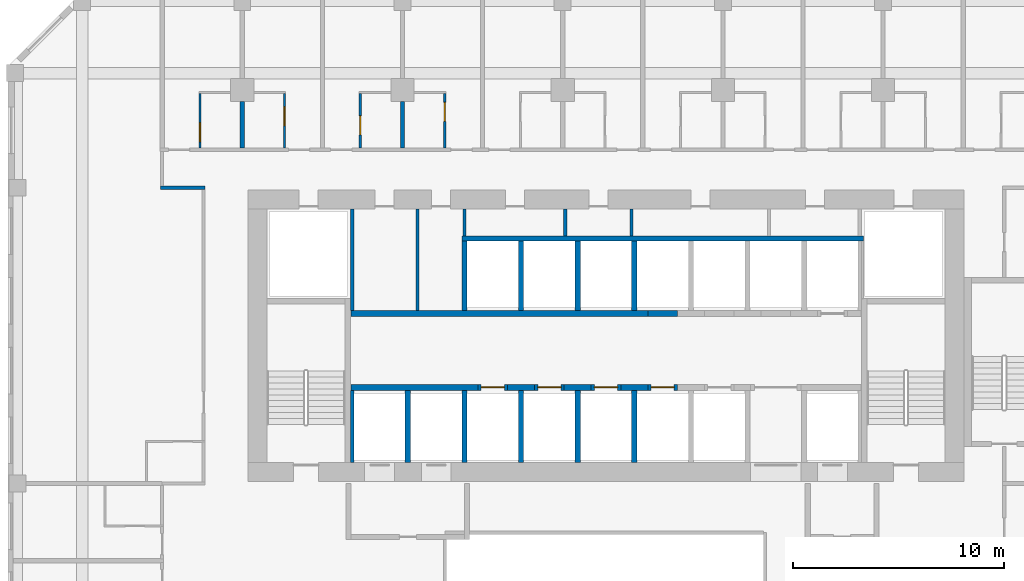
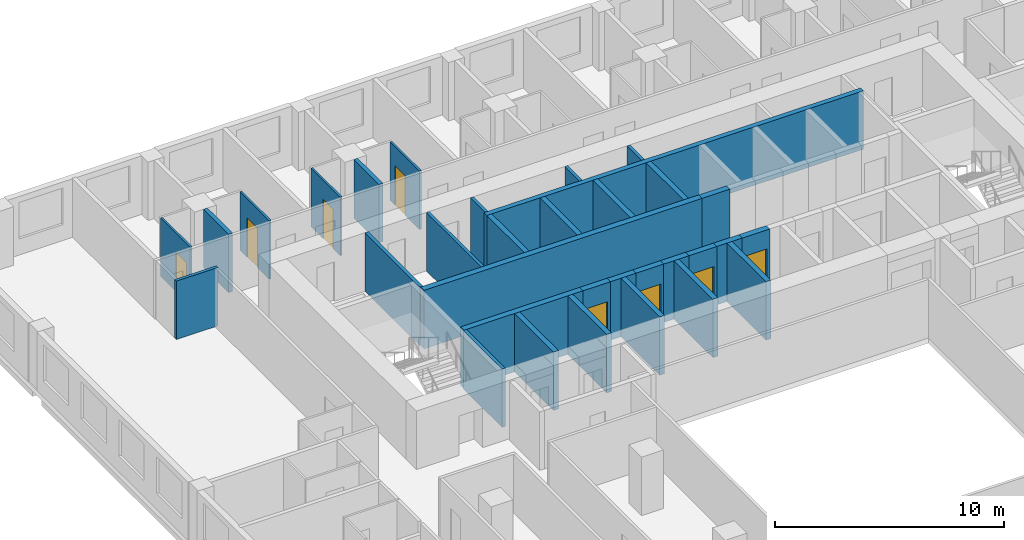
# One storey, part 7 of 22: 33 walls, 8 doors, 8 openings.
"""IFC4 building model written with IfcOpenShell, lengths in metres."""

from ifc_helpers import new_model, si_unit, direction, frame, frame_2d, origin, place, context, subcontext, project, spatial, rectangle, extrude, source, transform, mapped, material, layer, layer_set, type_object, element, fill, save


model = new_model("IFC4")

# Units and contexts
model_context = context("Model", 3, precision=1e-05, world=origin(), true_north=direction((0.0, 1.0)))
body_context = subcontext(model_context, "Body", "Model", "MODEL_VIEW")
ifc_project = project(units=[si_unit("LENGTHUNIT", "METRE"), si_unit("AREAUNIT", "SQUARE_METRE"), si_unit("VOLUMEUNIT", "CUBIC_METRE"), si_unit("PLANEANGLEUNIT", "RADIAN"), si_unit("MASSUNIT", "GRAM", prefix="KILO")], contexts=[model_context])

# Site, building, storey
site_placement = place(None, origin())
site = spatial("IfcSite", under=ifc_project, at=site_placement, CompositionType="ELEMENT")
building_placement = place(site_placement, origin())
building = spatial("IfcBuilding", under=site, at=building_placement, Name="Kilnfold Tower and Market Hall", CompositionType="ELEMENT")
storey_placement = place(building_placement, frame((0.0, 0.0, 143.89990234375)))
storey = spatial("IfcBuildingStorey", under=building, at=storey_placement, Name="L32", CompositionType="ELEMENT", Elevation=143.89990234375)

# Wall
ifc_material_1 = material(Name="Gypsum board on steel studs", Category="steel")
ifc_layer_1 = layer(ifc_material_1, 0.14990234375)
ifc_layer_set_1 = layer_set([ifc_layer_1], Name="Gypsum board on steel studs")
wall_type_1 = type_object("IfcWallType", Name="WALL CORRIDOR 150", PredefinedType="PARTITIONING", material=ifc_layer_set_1)
wall_1_placement = place(storey_placement, frame((-20.033935546875, 22.0, 0.0), z_axis=(0.0, 0.0, 1.0), x_axis=(1.0, 0.0, 0.0)))
element("IfcWall", 1, at=wall_1_placement, inside=storey, type_object=wall_type_1, Name="Partition LY21.21", PredefinedType="PARTITIONING", context=body_context, shape_type="SweptSolid", body=[
    extrude(rectangle(XDim=2.10888671875, YDim=0.14990234375, at=frame_2d((1.054443359375, 0.0))), origin(), (0.0, 0.0, 1.0), 3.1201171875),
])

# Wall, opening, door
ifc_material_2 = material(Name="Gypsum board on steel studs", Category="steel")
ifc_layer_2 = layer(ifc_material_2, 0.10009765625)
ifc_layer_set_2 = layer_set([ifc_layer_2], Name="Gypsum board on steel studs")
wall_type_2 = type_object("IfcWallType", Name="WALL PARTITION 100", PredefinedType="PARTITIONING", material=ifc_layer_set_2)
wall_2_placement = place(storey_placement, frame((-18.1669921875, 23.876953125, 0.0), z_axis=(0.0, 0.0, 1.0), x_axis=(0.0, 1.0, 0.0)))
wall_2 = element("IfcWall", 2, at=wall_2_placement, inside=storey, type_object=wall_type_2, Name="Partition LY21.84", PredefinedType="PARTITIONING", context=body_context, shape_type="SweptSolid", body=[
    extrude(rectangle(XDim=2.574951171875, YDim=0.10009765625, at=frame_2d((1.28759765625, 0.0))), origin(), (0.0, 0.0, 1.0), 3.1201171875),
])
opening_1_placement = place(wall_2_placement, frame((0.305908203125, 0.0, 0.0)))
opening_1 = element("IfcOpeningElement", 3, at=opening_1_placement, cuts=wall_2, Name="Opening D3", PredefinedType="OPENING", context=body_context, shape_type="SweptSolid", body=[
    extrude(rectangle(XDim=0.89990234375, YDim=2.10009765625, at=frame_2d((0.449951171875, 1.050048828125))), frame((0.0, 0.06005859375, 0.0), z_axis=(0.0, -1.0, 0.0), x_axis=(1.0, 0.0, 0.0)), (0.0, 0.0, 1.0), 0.1201171875),
])
ifc_material_3 = material(Name="Timber veneer door leaf in steel frame", Category="steel")
door_type_1 = type_object("IfcDoorType", Name="DOOR WC 900 X2100", OperationType="NOTDEFINED", PredefinedType="DOOR", material=ifc_material_3)
door_1_placement = place(opening_1_placement, origin())
door_1 = element("IfcDoor", 4, at=door_1_placement, inside=storey, type_object=door_type_1, Name="Door D3", OperationType="SINGLE_SWING_RIGHT", OverallHeight=2.10009765625, OverallWidth=0.89990234375, PredefinedType="DOOR", context=body_context, shape_type="SweptSolid", body=[
    extrude(rectangle(XDim=0.89990234375, YDim=2.10009765625, at=frame_2d((0.449951171875, 1.050048828125))), frame((0.0, 0.02490234375, 0.0), z_axis=(0.0, -1.0, 0.0), x_axis=(1.0, 0.0, 0.0)), (0.0, 0.0, 1.0), 0.050048828125),
])
fill(opening_1, door_1)

wall_3_placement = place(storey_placement, frame((-14.1669921875, 26.451904296875, 0.0), z_axis=(0.0, 0.0, 1.0), x_axis=(0.0, -1.0, 0.0)))
wall_3 = element("IfcWall", 5, at=wall_3_placement, inside=storey, type_object=wall_type_2, Name="Partition LY21.88", PredefinedType="PARTITIONING", context=body_context, shape_type="SweptSolid", body=[
    extrude(rectangle(XDim=2.574951171875, YDim=0.10009765625, at=frame_2d((1.28759765625, 0.0))), origin(), (0.0, 0.0, 1.0), 3.1201171875),
])
opening_2_placement = place(wall_3_placement, frame((0.625, 0.0, 0.0)))
opening_2 = element("IfcOpeningElement", 6, at=opening_2_placement, cuts=wall_3, Name="Opening D3", PredefinedType="OPENING", context=body_context, shape_type="SweptSolid", body=[
    extrude(rectangle(XDim=0.89990234375, YDim=2.10009765625, at=frame_2d((0.449951171875, 1.050048828125))), frame((0.0, 0.06005859375, 0.0), z_axis=(0.0, -1.0, 0.0), x_axis=(1.0, 0.0, 0.0)), (0.0, 0.0, 1.0), 0.1201171875),
])
door_2_placement = place(opening_2_placement, origin())
door_2 = element("IfcDoor", 7, at=door_2_placement, inside=storey, type_object=door_type_1, Name="Door D3", OperationType="SINGLE_SWING_LEFT", OverallHeight=2.10009765625, OverallWidth=0.89990234375, PredefinedType="DOOR", context=body_context, shape_type="SweptSolid", body=[
    extrude(rectangle(XDim=0.89990234375, YDim=2.10009765625, at=frame_2d((0.449951171875, 1.050048828125))), frame((0.0, 0.02490234375, 0.0), z_axis=(0.0, -1.0, 0.0), x_axis=(1.0, 0.0, 0.0)), (0.0, 0.0, 1.0), 0.050048828125),
])
fill(opening_2, door_2)

wall_4_placement = place(storey_placement, frame((-10.5830078125, 23.876953125, 0.0), z_axis=(0.0, 0.0, 1.0), x_axis=(0.0, 1.0, 0.0)))
wall_4 = element("IfcWall", 8, at=wall_4_placement, inside=storey, type_object=wall_type_2, Name="Partition LY21.91", PredefinedType="PARTITIONING", context=body_context, shape_type="SweptSolid", body=[
    extrude(rectangle(XDim=2.574951171875, YDim=0.10009765625, at=frame_2d((1.28759765625, 0.0))), origin(), (0.0, 0.0, 1.0), 3.1201171875),
])
opening_3_placement = place(wall_4_placement, frame((0.625, 0.0, 0.0)))
opening_3 = element("IfcOpeningElement", 9, at=opening_3_placement, cuts=wall_4, Name="Opening D3", PredefinedType="OPENING", context=body_context, shape_type="SweptSolid", body=[
    extrude(rectangle(XDim=0.89990234375, YDim=2.10009765625, at=frame_2d((0.449951171875, 1.050048828125))), frame((0.0, 0.06005859375, 0.0), z_axis=(0.0, -1.0, 0.0), x_axis=(1.0, 0.0, 0.0)), (0.0, 0.0, 1.0), 0.1201171875),
])
door_3_placement = place(opening_3_placement, origin())
door_3 = element("IfcDoor", 10, at=door_3_placement, inside=storey, type_object=door_type_1, Name="Door D3", OperationType="SINGLE_SWING_LEFT", OverallHeight=2.10009765625, OverallWidth=0.89990234375, PredefinedType="DOOR", context=body_context, shape_type="SweptSolid", body=[
    extrude(rectangle(XDim=0.89990234375, YDim=2.10009765625, at=frame_2d((0.449951171875, 1.050048828125))), frame((0.0, 0.02490234375, 0.0), z_axis=(0.0, -1.0, 0.0), x_axis=(1.0, 0.0, 0.0)), (0.0, 0.0, 1.0), 0.050048828125),
])
fill(opening_3, door_3)

wall_5_placement = place(storey_placement, frame((-6.5830078125, 26.451904296875, 0.0), z_axis=(0.0, 0.0, 1.0), x_axis=(0.0, -1.0, 0.0)))
wall_5 = element("IfcWall", 11, at=wall_5_placement, inside=storey, type_object=wall_type_2, Name="Partition LY21.95", PredefinedType="PARTITIONING", context=body_context, shape_type="SweptSolid", body=[
    extrude(rectangle(XDim=2.574951171875, YDim=0.10009765625, at=frame_2d((1.28759765625, 0.0))), origin(), (0.0, 0.0, 1.0), 3.1201171875),
])
opening_4_placement = place(wall_5_placement, frame((0.4130859375, 0.0, 0.0)))
opening_4 = element("IfcOpeningElement", 12, at=opening_4_placement, cuts=wall_5, Name="Opening D3", PredefinedType="OPENING", context=body_context, shape_type="SweptSolid", body=[
    extrude(rectangle(XDim=0.89990234375, YDim=2.10009765625, at=frame_2d((0.449951171875, 1.050048828125))), frame((0.0, 0.06005859375, 0.0), z_axis=(0.0, -1.0, 0.0), x_axis=(1.0, 0.0, 0.0)), (0.0, 0.0, 1.0), 0.1201171875),
])
door_4_placement = place(opening_4_placement, origin())
door_4 = element("IfcDoor", 13, at=door_4_placement, inside=storey, type_object=door_type_1, Name="Door D3", OperationType="SINGLE_SWING_LEFT", OverallHeight=2.10009765625, OverallWidth=0.89990234375, PredefinedType="DOOR", context=body_context, shape_type="SweptSolid", body=[
    extrude(rectangle(XDim=0.89990234375, YDim=2.10009765625, at=frame_2d((0.449951171875, 1.050048828125))), frame((0.0, 0.02490234375, 0.0), z_axis=(0.0, -1.0, 0.0), x_axis=(1.0, 0.0, 0.0)), (0.0, 0.0, 1.0), 0.050048828125),
])
fill(opening_4, door_4)

# Walls
ifc_material_4 = material(Name="Gypsum board on steel studs", Category="steel")
ifc_layer_3 = layer(ifc_material_4, 0.199951171875)
ifc_layer_set_3 = layer_set([ifc_layer_3], Name="Gypsum board on steel studs")
wall_type_3 = type_object("IfcWallType", Name="WALL PARTY 200", PredefinedType="PARTITIONING", material=ifc_layer_set_3)
for number, where, z_axis, x_axis, name in (
    (14, (-16.1669921875, 23.876953125, 0.0), (0.0, 0.0, 1.0), (0.0, 1.0, 0.0), "Partition LY21.86"),
    (15, (-8.5830078125, 23.876953125, 0.0), (0.0, 0.0, 1.0), (0.0, 1.0, 0.0), "Partition LY21.93"),
):
    element("IfcWall", number, at=place(storey_placement, frame(where, z_axis=z_axis, x_axis=x_axis)), inside=storey, type_object=wall_type_3, Name=name, PredefinedType="PARTITIONING", context=body_context, shape_type="SweptSolid", body=[
        extrude(rectangle(XDim=2.197998046875, YDim=0.199951171875, at=frame_2d((1.09912109375, 0.0))), origin(), (0.0, 0.0, 1.0), 3.1201171875),
    ])
ifc_material_5 = material(Name="Concrete C70", Category="concrete")
ifc_layer_4 = layer(ifc_material_5, 0.300048828125)
ifc_layer_set_4 = layer_set([ifc_layer_4], Name="Concrete C70")
wall_type_4 = type_object("IfcWallType", Name="CORE WALL 300 C70", PredefinedType="SHEAR", material=ifc_layer_set_4)
shared_shape_1 = source(origin(), body_context, "Body", "SweptSolid", [
    extrude(rectangle(XDim=6.0, YDim=0.300048828125, at=frame_2d((3.0, 0.0))), origin(), (0.0, 0.0, 1.0), 3.1201171875),
])
wall_6_placement = place(storey_placement, frame((-11.010009765625, 12.550048828125, 0.0), z_axis=(0.0, 0.0, 1.0), x_axis=(1.0, 0.0, 0.0)))
element("IfcWall", 16, at=wall_6_placement, inside=storey, type_object=wall_type_4, Name="Core spine wall", PredefinedType="SHEAR", context=body_context, shape_type="MappedRepresentation", body=[
    mapped(shared_shape_1, transform((0.0, 0.0, 0.0))),
])
shared_shape_2 = source(origin(), body_context, "Body", "SweptSolid", [
    extrude(rectangle(XDim=1.280029296875, YDim=0.300048828125, at=frame_2d((0.64013671875, 0.0))), origin(), (0.0, 0.0, 1.0), 3.1201171875),
])
for number, where, z_axis, x_axis, name in (
    (17, (-3.610107421875, 12.550048828125, 0.0), (0.0, 0.0, 1.0), (1.0, 0.0, 0.0), "Core spine wall"),
    (18, (-0.929931640625, 12.550048828125, 0.0), (0.0, 0.0, 1.0), (1.0, 0.0, 0.0), "Core spine wall"),
    (19, (1.75, 12.550048828125, 0.0), (0.0, 0.0, 1.0), (1.0, 0.0, 0.0), "Core spine wall"),
):
    element("IfcWall", number, at=place(storey_placement, frame(where, z_axis=z_axis, x_axis=x_axis)), inside=storey, type_object=wall_type_4, Name=name, PredefinedType="SHEAR", context=body_context, shape_type="MappedRepresentation", body=[
        mapped(shared_shape_2, transform((0.0, 0.0, 0.0))),
    ])
shared_shape_3 = source(origin(), body_context, "Body", "SweptSolid", [
    extrude(rectangle(XDim=14.0400390625, YDim=0.300048828125, at=frame_2d((7.02001953125, 0.0))), origin(), (0.0, 0.0, 1.0), 3.1201171875),
])
wall_7_placement = place(storey_placement, frame((-11.010009765625, 16.050048828125, 0.0), z_axis=(0.0, 0.0, 1.0), x_axis=(1.0, 0.0, 0.0)))
element("IfcWall", 20, at=wall_7_placement, inside=storey, type_object=wall_type_4, Name="Core spine wall", PredefinedType="SHEAR", context=body_context, shape_type="MappedRepresentation", body=[
    mapped(shared_shape_3, transform((0.0, 0.0, 0.0))),
])

# Wall, opening, door
ifc_material_6 = material(Name="Gypsum shaft wall system")
ifc_layer_5 = layer(ifc_material_6, 0.300048828125)
ifc_layer_set_5 = layer_set([ifc_layer_5], Name="Gypsum shaft wall system")
wall_type_5 = type_object("IfcWallType", Name="SHAFT WALL 300", PredefinedType="PARTITIONING", material=ifc_layer_set_5)
shared_shape_4 = source(origin(), body_context, "Body", "SweptSolid", [
    extrude(rectangle(XDim=1.39990234375, YDim=0.300048828125, at=frame_2d((0.699951171875, 0.0))), origin(), (0.0, 0.0, 1.0), 3.1201171875),
])
wall_8_placement = place(storey_placement, frame((-5.010009765625, 12.550048828125, 0.0), z_axis=(0.0, 0.0, 1.0), x_axis=(1.0, 0.0, 0.0)))
wall_8 = element("IfcWall", 21, at=wall_8_placement, inside=storey, type_object=wall_type_5, Name="Lift shaft front wall", PredefinedType="PARTITIONING", context=body_context, shape_type="MappedRepresentation", body=[
    mapped(shared_shape_4, transform((0.0, 0.0, 0.0))),
])
opening_5_placement = place(wall_8_placement, frame((0.14990234375, 0.0, 0.0)))
opening_5 = element("IfcOpeningElement", 22, at=opening_5_placement, cuts=wall_8, Name="Opening LD2", PredefinedType="OPENING", context=body_context, shape_type="SweptSolid", body=[
    extrude(rectangle(XDim=1.10009765625, YDim=2.10009765625, at=frame_2d((0.550048828125, 1.050048828125))), frame((0.0, 0.16015625, 0.0), z_axis=(0.0, -1.0, 0.0), x_axis=(1.0, 0.0, 0.0)), (0.0, 0.0, 1.0), 0.320068359375),
])
ifc_material_7 = material(Name="Steel door set with fire-resisting leaf", Category="steel")
door_type_2 = type_object("IfcDoorType", Name="LANDING DOOR 1100X2100", OperationType="NOTDEFINED", PredefinedType="DOOR", material=ifc_material_7)
door_5_placement = place(opening_5_placement, origin())
door_5 = element("IfcDoor", 23, at=door_5_placement, inside=storey, type_object=door_type_2, Name="Landing door MR1", OperationType="DOUBLE_DOOR_SLIDING", OverallHeight=2.10009765625, OverallWidth=1.10009765625, PredefinedType="DOOR", context=body_context, shape_type="SweptSolid", body=[
    extrude(rectangle(XDim=1.10009765625, YDim=2.10009765625, at=frame_2d((0.550048828125, 1.050048828125))), frame((0.0, 0.02490234375, 0.0), z_axis=(0.0, -1.0, 0.0), x_axis=(1.0, 0.0, 0.0)), (0.0, 0.0, 1.0), 0.050048828125),
])
fill(opening_5, door_5)

wall_9_placement = place(storey_placement, frame((0.35009765625, 12.550048828125, 0.0), z_axis=(0.0, 0.0, 1.0), x_axis=(1.0, 0.0, 0.0)))
wall_9 = element("IfcWall", 24, at=wall_9_placement, inside=storey, type_object=wall_type_5, Name="Lift shaft front wall", PredefinedType="PARTITIONING", context=body_context, shape_type="MappedRepresentation", body=[
    mapped(shared_shape_4, transform((0.0, 0.0, 0.0))),
])
opening_6_placement = place(wall_9_placement, frame((0.14990234375, 0.0, 0.0)))
opening_6 = element("IfcOpeningElement", 25, at=opening_6_placement, cuts=wall_9, Name="Opening LD2", PredefinedType="OPENING", context=body_context, shape_type="SweptSolid", body=[
    extrude(rectangle(XDim=1.10009765625, YDim=2.10009765625, at=frame_2d((0.550048828125, 1.050048828125))), frame((0.0, 0.16015625, 0.0), z_axis=(0.0, -1.0, 0.0), x_axis=(1.0, 0.0, 0.0)), (0.0, 0.0, 1.0), 0.320068359375),
])
door_6_placement = place(opening_6_placement, origin())
door_6 = element("IfcDoor", 26, at=door_6_placement, inside=storey, type_object=door_type_2, Name="Landing door MR3", OperationType="DOUBLE_DOOR_SLIDING", OverallHeight=2.10009765625, OverallWidth=1.10009765625, PredefinedType="DOOR", context=body_context, shape_type="SweptSolid", body=[
    extrude(rectangle(XDim=1.10009765625, YDim=2.10009765625, at=frame_2d((0.550048828125, 1.050048828125))), frame((0.0, 0.02490234375, 0.0), z_axis=(0.0, -1.0, 0.0), x_axis=(1.0, 0.0, 0.0)), (0.0, 0.0, 1.0), 0.050048828125),
])
fill(opening_6, door_6)

wall_10_placement = place(storey_placement, frame((3.030029296875, 12.550048828125, 0.0), z_axis=(0.0, 0.0, 1.0), x_axis=(1.0, 0.0, 0.0)))
wall_10 = element("IfcWall", 27, at=wall_10_placement, inside=storey, type_object=wall_type_5, Name="Lift shaft front wall", PredefinedType="PARTITIONING", context=body_context, shape_type="MappedRepresentation", body=[
    mapped(shared_shape_4, transform((0.0, 0.0, 0.0))),
])
opening_7_placement = place(wall_10_placement, frame((0.14990234375, 0.0, 0.0)))
opening_7 = element("IfcOpeningElement", 28, at=opening_7_placement, cuts=wall_10, Name="Opening LD2", PredefinedType="OPENING", context=body_context, shape_type="SweptSolid", body=[
    extrude(rectangle(XDim=1.10009765625, YDim=2.10009765625, at=frame_2d((0.550048828125, 1.050048828125))), frame((0.0, 0.16015625, 0.0), z_axis=(0.0, -1.0, 0.0), x_axis=(1.0, 0.0, 0.0)), (0.0, 0.0, 1.0), 0.320068359375),
])
door_7_placement = place(opening_7_placement, origin())
door_7 = element("IfcDoor", 29, at=door_7_placement, inside=storey, type_object=door_type_2, Name="Landing door MR4", OperationType="DOUBLE_DOOR_SLIDING", OverallHeight=2.10009765625, OverallWidth=1.10009765625, PredefinedType="DOOR", context=body_context, shape_type="SweptSolid", body=[
    extrude(rectangle(XDim=1.10009765625, YDim=2.10009765625, at=frame_2d((0.550048828125, 1.050048828125))), frame((0.0, 0.02490234375, 0.0), z_axis=(0.0, -1.0, 0.0), x_axis=(1.0, 0.0, 0.0)), (0.0, 0.0, 1.0), 0.050048828125),
])
fill(opening_7, door_7)

# Wall
wall_11_placement = place(storey_placement, frame((3.030029296875, 16.050048828125, 0.0), z_axis=(0.0, 0.0, 1.0), x_axis=(1.0, 0.0, 0.0)))
element("IfcWall", 30, at=wall_11_placement, inside=storey, type_object=wall_type_5, Name="Lift shaft front wall", PredefinedType="PARTITIONING", context=body_context, shape_type="MappedRepresentation", body=[
    mapped(shared_shape_4, transform((0.0, 0.0, 0.0))),
])

# Wall, opening, door
shared_shape_5 = source(origin(), body_context, "Body", "SweptSolid", [
    extrude(rectangle(XDim=1.400146484375, YDim=0.300048828125, at=frame_2d((0.7001953125, 0.0))), origin(), (0.0, 0.0, 1.0), 3.1201171875),
])
wall_12_placement = place(storey_placement, frame((-2.330078125, 12.550048828125, 0.0), z_axis=(0.0, 0.0, 1.0), x_axis=(1.0, 0.0, 0.0)))
wall_12 = element("IfcWall", 31, at=wall_12_placement, inside=storey, type_object=wall_type_5, Name="Lift shaft front wall", PredefinedType="PARTITIONING", context=body_context, shape_type="MappedRepresentation", body=[
    mapped(shared_shape_5, transform((0.0, 0.0, 0.0))),
])
opening_8_placement = place(wall_12_placement, frame((0.14990234375, 0.0, 0.0)))
opening_8 = element("IfcOpeningElement", 32, at=opening_8_placement, cuts=wall_12, Name="Opening LD2", PredefinedType="OPENING", context=body_context, shape_type="SweptSolid", body=[
    extrude(rectangle(XDim=1.10009765625, YDim=2.10009765625, at=frame_2d((0.550048828125, 1.050048828125))), frame((0.0, 0.16015625, 0.0), z_axis=(0.0, -1.0, 0.0), x_axis=(1.0, 0.0, 0.0)), (0.0, 0.0, 1.0), 0.320068359375),
])
door_8_placement = place(opening_8_placement, origin())
door_8 = element("IfcDoor", 33, at=door_8_placement, inside=storey, type_object=door_type_2, Name="Landing door MR2", OperationType="DOUBLE_DOOR_SLIDING", OverallHeight=2.10009765625, OverallWidth=1.10009765625, PredefinedType="DOOR", context=body_context, shape_type="SweptSolid", body=[
    extrude(rectangle(XDim=1.10009765625, YDim=2.10009765625, at=frame_2d((0.550048828125, 1.050048828125))), frame((0.0, 0.02490234375, 0.0), z_axis=(0.0, -1.0, 0.0), x_axis=(1.0, 0.0, 0.0)), (0.0, 0.0, 1.0), 0.050048828125),
])
fill(opening_8, door_8)

# Walls
ifc_material_8 = material(Name="Gypsum shaft wall system")
ifc_layer_6 = layer(ifc_material_8, 0.25)
ifc_layer_set_6 = layer_set([ifc_layer_6], Name="Gypsum shaft wall system")
wall_type_6 = type_object("IfcWallType", Name="SHAFT WALL 250", PredefinedType="PARTITIONING", material=ifc_layer_set_6)
shared_shape_6 = source(origin(), body_context, "Body", "SweptSolid", [
    extrude(rectangle(XDim=19.010009765625, YDim=0.25, at=frame_2d((9.5048828125, 0.0))), origin(), (0.0, 0.0, 1.0), 3.1201171875),
])
wall_13_placement = place(storey_placement, frame((-5.77490234375, 19.60009765625, 0.0), z_axis=(0.0, 0.0, 1.0), x_axis=(1.0, 0.0, 0.0)))
element("IfcWall", 34, at=wall_13_placement, inside=storey, type_object=wall_type_6, Name="Lift shaft wall", PredefinedType="PARTITIONING", context=body_context, shape_type="MappedRepresentation", body=[
    mapped(shared_shape_6, transform((0.0, 0.0, 0.0))),
])
ifc_material_9 = material(Name="Gypsum shaft wall system")
ifc_layer_7 = layer(ifc_material_9, 0.1650390625)
ifc_layer_set_7 = layer_set([ifc_layer_7], Name="Gypsum shaft wall system")
wall_type_7 = type_object("IfcWallType", Name="SHAFT WALL 165", PredefinedType="PARTITIONING", material=ifc_layer_set_7)
shared_shape_7 = source(origin(), body_context, "Body", "SweptSolid", [
    extrude(rectangle(XDim=4.800048828125, YDim=0.1650390625, at=frame_2d((2.39990234375, 0.0))), origin(), (0.0, 0.0, 1.0), 3.1201171875),
])
wall_14_placement = place(storey_placement, frame((-10.967529296875, 16.199951171875, 0.0), z_axis=(0.0, 0.0, 1.0), x_axis=(0.0, 1.0, 0.0)))
element("IfcWall", 35, at=wall_14_placement, inside=storey, type_object=wall_type_7, Name="Lift shaft wall", PredefinedType="PARTITIONING", context=body_context, shape_type="MappedRepresentation", body=[
    mapped(shared_shape_7, transform((0.0, 0.0, 0.0))),
])
shared_shape_8 = source(origin(), body_context, "Body", "SweptSolid", [
    extrude(rectangle(XDim=3.275146484375, YDim=0.25, at=frame_2d((1.6376953125, 0.0))), origin(), (0.0, 0.0, 1.0), 3.1201171875),
])
for number, where, z_axis, x_axis, name in (
    (36, (2.389892578125, 16.199951171875, 0.0), (0.0, 0.0, 1.0), (0.0, 1.0, 0.0), "Lift shaft wall"),
    (37, (-0.2900390625, 16.199951171875, 0.0), (0.0, 0.0, 1.0), (0.0, 1.0, 0.0), "Lift shaft wall"),
    (38, (-2.969970703125, 16.199951171875, 0.0), (0.0, 0.0, 1.0), (0.0, 1.0, 0.0), "Lift shaft wall"),
    (39, (-5.64990234375, 16.199951171875, 0.0), (0.0, 0.0, 1.0), (0.0, 1.0, 0.0), "Lift shaft wall"),
):
    element("IfcWall", number, at=place(storey_placement, frame(where, z_axis=z_axis, x_axis=x_axis)), inside=storey, type_object=wall_type_6, Name=name, PredefinedType="PARTITIONING", context=body_context, shape_type="MappedRepresentation", body=[
        mapped(shared_shape_8, transform((0.0, 0.0, 0.0))),
    ])
shared_shape_9 = source(origin(), body_context, "Body", "SweptSolid", [
    extrude(rectangle(XDim=3.39990234375, YDim=0.25, at=frame_2d((1.699951171875, 0.0))), origin(), (0.0, 0.0, 1.0), 3.1201171875),
])
for number, where, z_axis, x_axis, name in (
    (40, (2.389892578125, 9.0, 0.0), (0.0, 0.0, 1.0), (0.0, 1.0, 0.0), "Lift shaft wall"),
    (41, (-0.2900390625, 9.0, 0.0), (0.0, 0.0, 1.0), (0.0, 1.0, 0.0), "Lift shaft wall"),
    (42, (-2.969970703125, 9.0, 0.0), (0.0, 0.0, 1.0), (0.0, 1.0, 0.0), "Lift shaft wall"),
    (43, (-5.64990234375, 9.0, 0.0), (0.0, 0.0, 1.0), (0.0, 1.0, 0.0), "Lift shaft wall"),
    (44, (-8.330078125, 9.0, 0.0), (0.0, 0.0, 1.0), (0.0, 1.0, 0.0), "Lift shaft wall"),
):
    element("IfcWall", number, at=place(storey_placement, frame(where, z_axis=z_axis, x_axis=x_axis)), inside=storey, type_object=wall_type_6, Name=name, PredefinedType="PARTITIONING", context=body_context, shape_type="MappedRepresentation", body=[
        mapped(shared_shape_9, transform((0.0, 0.0, 0.0))),
    ])
shared_shape_10 = source(origin(), body_context, "Body", "SweptSolid", [
    extrude(rectangle(XDim=3.39990234375, YDim=0.1650390625, at=frame_2d((1.699951171875, 0.0))), origin(), (0.0, 0.0, 1.0), 3.1201171875),
])
wall_15_placement = place(storey_placement, frame((-10.967529296875, 9.0, 0.0), z_axis=(0.0, 0.0, 1.0), x_axis=(0.0, 1.0, 0.0)))
element("IfcWall", 45, at=wall_15_placement, inside=storey, type_object=wall_type_7, Name="Lift shaft wall", PredefinedType="PARTITIONING", context=body_context, shape_type="MappedRepresentation", body=[
    mapped(shared_shape_10, transform((0.0, 0.0, 0.0))),
])
ifc_material_10 = material(Name="Gypsum shaft wall system")
ifc_layer_8 = layer(ifc_material_10, 0.14990234375)
ifc_layer_set_8 = layer_set([ifc_layer_8], Name="Gypsum shaft wall system")
wall_type_8 = type_object("IfcWallType", Name="ROOM WALL 150", PredefinedType="PARTITIONING", material=ifc_layer_set_8)
shared_shape_11 = source(origin(), body_context, "Body", "SweptSolid", [
    extrude(rectangle(XDim=4.800048828125, YDim=0.14990234375, at=frame_2d((2.39990234375, 0.0))), origin(), (0.0, 0.0, 1.0), 3.1201171875),
])
wall_16_placement = place(storey_placement, frame((-7.87451171875, 16.199951171875, 0.0), z_axis=(0.0, 0.0, 1.0), x_axis=(0.0, 1.0, 0.0)))
element("IfcWall", 46, at=wall_16_placement, inside=storey, type_object=wall_type_8, Name="Core room wall", PredefinedType="PARTITIONING", context=body_context, shape_type="MappedRepresentation", body=[
    mapped(shared_shape_11, transform((0.0, 0.0, 0.0))),
])
shared_shape_12 = source(origin(), body_context, "Body", "SweptSolid", [
    extrude(rectangle(XDim=1.27490234375, YDim=0.14990234375, at=frame_2d((0.637451171875, 0.0))), origin(), (0.0, 0.0, 1.0), 3.1201171875),
])
for number, where, z_axis, x_axis, name in (
    (47, (-5.64990234375, 19.72509765625, 0.0), (0.0, 0.0, 1.0), (0.0, 1.0, 0.0), "Core room wall"),
    (48, (-0.879638671875, 19.72509765625, 0.0), (0.0, 0.0, 1.0), (0.0, 1.0, 0.0), "Core room wall"),
    (49, (2.256103515625, 19.72509765625, 0.0), (0.0, 0.0, 1.0), (0.0, 1.0, 0.0), "Core room wall"),
):
    element("IfcWall", number, at=place(storey_placement, frame(where, z_axis=z_axis, x_axis=x_axis)), inside=storey, type_object=wall_type_8, Name=name, PredefinedType="PARTITIONING", context=body_context, shape_type="MappedRepresentation", body=[
        mapped(shared_shape_12, transform((0.0, 0.0, 0.0))),
    ])

save(model, "model.ifc")
